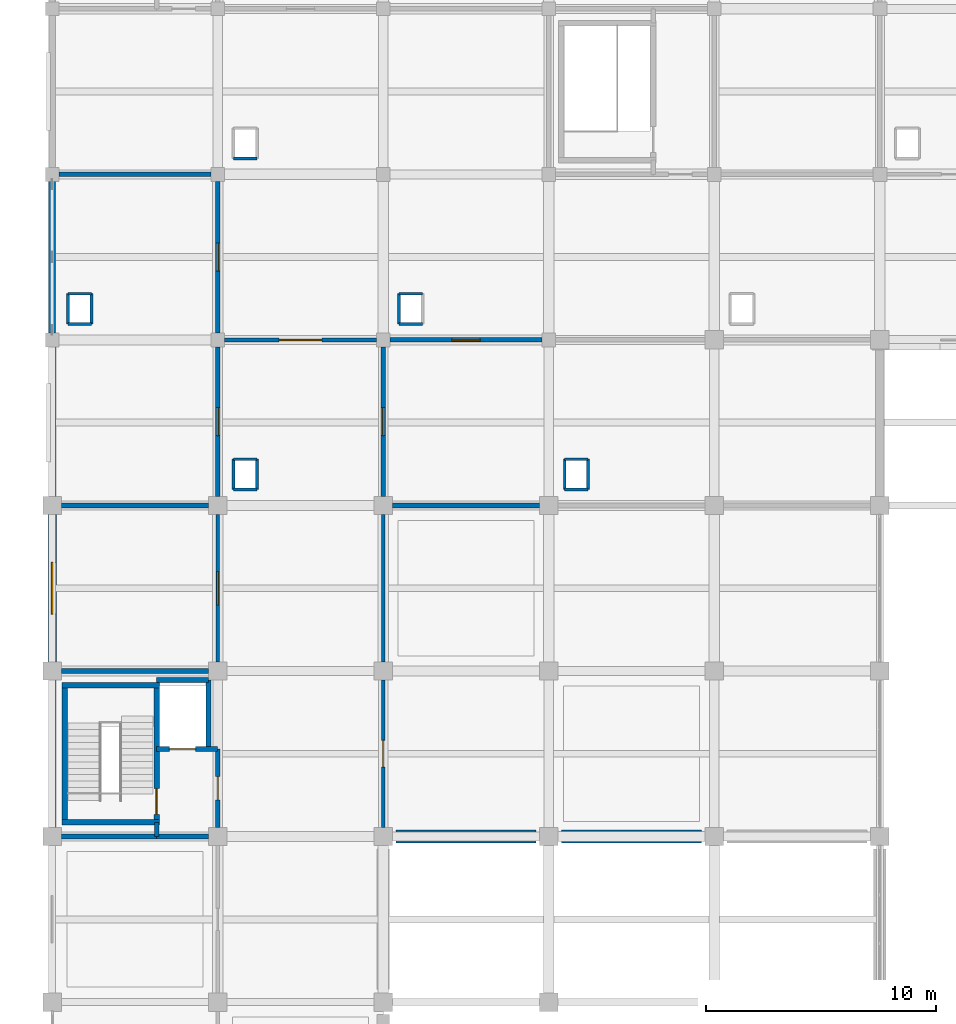
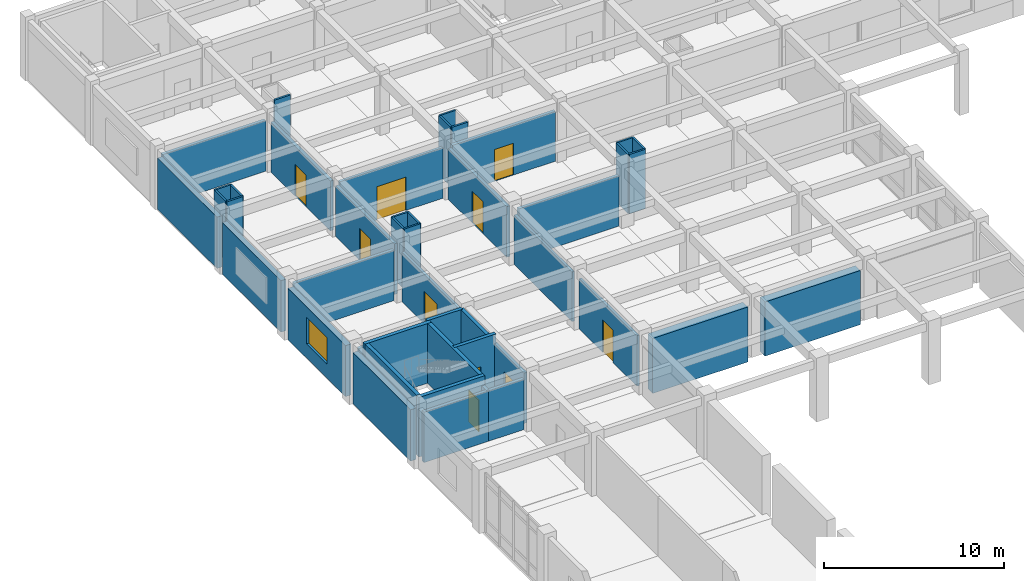
# One storey, part 54 of 70: 45 walls, 10 doors, 1 window, 11 openings.
"""IFC4 building model written with IfcOpenShell, lengths in metres."""

from ifc_helpers import new_model, si_unit, direction, frame, frame_2d, origin, place, context, subcontext, project, spatial, rectangle, extrude, material, layer, layer_set, type_object, element, fill, save


model = new_model("IFC4")

# Units and contexts
model_context = context("Model", 3, precision=1e-05, world=origin(), true_north=direction((0.0, 1.0)))
body_context = subcontext(model_context, "Body", "Model", "MODEL_VIEW")
ifc_project = project(units=[si_unit("LENGTHUNIT", "METRE"), si_unit("AREAUNIT", "SQUARE_METRE"), si_unit("VOLUMEUNIT", "CUBIC_METRE"), si_unit("PLANEANGLEUNIT", "RADIAN"), si_unit("MASSUNIT", "GRAM", prefix="KILO")], contexts=[model_context])

# Site, building, storey
site_placement = place(None, origin())
site = spatial("IfcSite", under=ifc_project, at=site_placement, CompositionType="ELEMENT")
building_placement = place(site_placement, origin())
building = spatial("IfcBuilding", under=site, at=building_placement, Name="Kavelor Marine Aquarium", CompositionType="ELEMENT")
storey_placement = place(building_placement, frame((0.0, 0.0, 9.179931640625)))
storey = spatial("IfcBuildingStorey", under=building, at=storey_placement, Name="L02", CompositionType="ELEMENT", Elevation=9.179931640625)

# Wall, opening, window
ifc_material_1 = material(Name="Concrete C45/55", Category="concrete")
ifc_layer_1 = layer(ifc_material_1, 0.360107421875)
ifc_layer_set_1 = layer_set([ifc_layer_1], Name="WL-EX1")
wall_type_1 = type_object("IfcWallType", Name="WL-EX1", PredefinedType="STANDARD", material=ifc_layer_set_1)
wall_1_placement = place(storey_placement, frame((3.199951171875, 75.195068359375, 0.0), z_axis=(0.0, 0.0, 1.0), x_axis=(0.0, 1.0, 0.0)))
wall_1 = element("IfcWall", 1, at=wall_1_placement, inside=storey, type_object=wall_type_1, Name="ew:y:L02:00_10", PredefinedType="STANDARD", context=body_context, shape_type="SweptSolid", body=[
    extrude(rectangle(XDim=6.409912109375, YDim=0.360107421875, at=frame_2d((3.205078125, 0.0))), origin(), (0.0, 0.0, 1.0), 3.4599609375),
])
opening_1_placement = place(wall_1_placement, frame((2.080078125, 0.0, 0.949951171875)))
opening_1 = element("IfcOpeningElement", 2, at=opening_1_placement, cuts=wall_1, Name="Opening W42", PredefinedType="OPENING", context=body_context, shape_type="SweptSolid", body=[
    extrude(rectangle(XDim=2.25, YDim=1.800048828125, at=frame_2d((1.125, 0.89990234375))), frame((0.0, 0.18994140625, 0.0), z_axis=(0.0, -1.0, 0.0), x_axis=(1.0, 0.0, 0.0)), (0.0, 0.0, 1.0), 0.380107),
])
ifc_material_2 = material(Name="Anodised Aluminium Frame with Low-E Double Glazing", Category="aluminium")
window_type = type_object("IfcWindowType", Name="WIN-W42", PartitioningType="DOUBLE_PANEL_VERTICAL", PredefinedType="WINDOW", material=ifc_material_2)
window_placement = place(opening_1_placement, origin())
window = element("IfcWindow", 3, at=window_placement, inside=storey, type_object=window_type, Name="win:y:L02:00_10", OverallHeight=1.800048828125, OverallWidth=2.25, PartitioningType="SINGLE_PANEL", PredefinedType="WINDOW", context=body_context, shape_type="SweptSolid", body=[
    extrude(rectangle(XDim=2.25, YDim=1.800048828125, at=frame_2d((1.125, 0.89990234375))), frame((0.0, 0.030029296875, 0.0), z_axis=(0.0, -1.0, 0.0), x_axis=(1.0, 0.0, 0.0)), (0.0, 0.0, 1.0), 0.06005859375),
])
fill(opening_1, window)

# Walls
ifc_material_3 = material(Name="Concrete C45/55", Category="concrete")
ifc_layer_2 = layer(ifc_material_3, 0.320068359375)
ifc_layer_set_2 = layer_set([ifc_layer_2], Name="WL-EX2")
wall_type_2 = type_object("IfcWallType", Name="WL-EX2", PredefinedType="STANDARD", material=ifc_layer_set_2)
wall_2_placement = place(storey_placement, frame((3.199951171875, 82.39501953125, 0.0), z_axis=(0.0, 0.0, 1.0), x_axis=(0.0, 1.0, 0.0)))
element("IfcWall", 4, at=wall_2_placement, inside=storey, type_object=wall_type_2, Name="ew:y:L02:00_11", PredefinedType="STANDARD", context=body_context, shape_type="SweptSolid", body=[
    extrude(rectangle(XDim=6.510009765625, YDim=0.320068359375, at=frame_2d((3.2548828125, 0.0))), origin(), (0.0, 0.0, 1.0), 3.47998046875),
])
ifc_material_4 = material(Name="Concrete C40/50", Category="concrete")
ifc_layer_3 = layer(ifc_material_4, 0.300048828125)
ifc_layer_set_3 = layer_set([ifc_layer_3], Name="WL-EX3")
wall_type_3 = type_object("IfcWallType", Name="WL-EX3", PredefinedType="STANDARD", material=ifc_layer_set_3)
wall_3_placement = place(storey_placement, frame((3.199951171875, 89.4951171875, 0.0), z_axis=(0.0, 0.0, 1.0), x_axis=(0.0, 1.0, 0.0)))
element("IfcWall", 5, at=wall_3_placement, inside=storey, type_object=wall_type_3, Name="ew:y:L02:00_12", PredefinedType="STANDARD", context=body_context, shape_type="SweptSolid", body=[
    extrude(rectangle(XDim=6.60986328125, YDim=0.300048828125, at=frame_2d((3.304931640625, 0.0))), origin(), (0.0, 0.0, 1.0), 3.47998046875),
])
ifc_material_5 = material(Name="Concrete C45/55", Category="concrete")
ifc_layer_4 = layer(ifc_material_5, 0.340087890625)
ifc_layer_set_4 = layer_set([ifc_layer_4], Name="WL-EX6")
wall_type_4 = type_object("IfcWallType", Name="WL-EX6", PredefinedType="STANDARD", material=ifc_layer_set_4)
wall_4_placement = place(storey_placement, frame((3.199951171875, 67.9951171875, 0.0), z_axis=(0.0, 0.0, 1.0), x_axis=(0.0, 1.0, 0.0)))
element("IfcWall", 6, at=wall_4_placement, inside=storey, type_object=wall_type_4, Name="ew:y:L02:00_09", PredefinedType="STANDARD", context=body_context, shape_type="SweptSolid", body=[
    extrude(rectangle(XDim=6.409912109375, YDim=0.340087890625, at=frame_2d((3.205078125, 0.0))), origin(), (0.0, 0.0, 1.0), 3.47998046875),
])
ifc_material_6 = material(Name="Concrete Blockwork Partition", Category="masonry")
ifc_layer_5 = layer(ifc_material_6, 0.199951171875)
ifc_layer_set_5 = layer_set([ifc_layer_5], Name="WL-PT1")
wall_type_5 = type_object("IfcWallType", Name="WL-PT1", PredefinedType="PARTITIONING", material=ifc_layer_set_5)
wall_5_placement = place(storey_placement, frame((7.739990234375, 67.60009765625, 0.0), z_axis=(0.0, 0.0, 1.0), x_axis=(0.0, 1.0, 0.0)))
element("IfcWall", 7, at=wall_5_placement, inside=storey, type_object=wall_type_5, Name="pt:st_close:s:C03:L02", PredefinedType="PARTITIONING", context=body_context, shape_type="SweptSolid", body=[
    extrude(rectangle(XDim=0.619873046875, YDim=0.199951171875, at=frame_2d((0.31005859375, 0.0))), origin(), (0.0, 0.0, 1.0), 3.41015625),
])

# Wall, opening, door
wall_6_placement = place(storey_placement, frame((10.39990234375, 68.0, 0.0), z_axis=(0.0, 0.0, 1.0), x_axis=(0.0, 1.0, 0.0)))
wall_6 = element("IfcWall", 8, at=wall_6_placement, inside=storey, type_object=wall_type_5, Name="pt:lob:C03:L02:e", PredefinedType="PARTITIONING", context=body_context, shape_type="SweptSolid", body=[
    extrude(rectangle(XDim=3.39990234375, YDim=0.199951171875, at=frame_2d((1.699951171875, 0.0))), origin(), (0.0, 0.0, 1.0), 3.41015625),
])
opening_2_placement = place(wall_6_placement, frame((1.18994140625, 0.0, 0.0)))
opening_2 = element("IfcOpeningElement", 9, at=opening_2_placement, cuts=wall_6, Name="Opening SD1", PredefinedType="OPENING", context=body_context, shape_type="SweptSolid", body=[
    extrude(rectangle(XDim=1.02001953125, YDim=2.14990234375, at=frame_2d((0.510009765625, 1.074951171875))), frame((0.0, 0.10986328125, 0.0), z_axis=(0.0, -1.0, 0.0), x_axis=(1.0, 0.0, 0.0)), (0.0, 0.0, 1.0), 0.219951),
])
ifc_material_7 = material(Name="Fire-Rated Corridor Compartment Door")
door_type_1 = type_object("IfcDoorType", Name="DR-SD1", OperationType="NOTDEFINED", PredefinedType="DOOR", material=ifc_material_7)
door_1_placement = place(opening_2_placement, origin())
door_1 = element("IfcDoor", 10, at=door_1_placement, inside=storey, type_object=door_type_1, Name="Core Lobby Fire Door C03-L02", OperationType="SINGLE_SWING_RIGHT", OverallHeight=2.14990234375, OverallWidth=1.02001953125, PredefinedType="DOOR", context=body_context, shape_type="SweptSolid", body=[
    extrude(rectangle(XDim=1.02001953125, YDim=2.14990234375, at=frame_2d((0.510009765625, 1.074951171875))), frame((0.0, 0.02490234375, 0.0), z_axis=(0.0, -1.0, 0.0), x_axis=(1.0, 0.0, 0.0)), (0.0, 0.0, 1.0), 0.050048828125),
])
fill(opening_2, door_1)

# Walls
wall_7_placement = place(storey_placement, frame((3.60009765625, 67.60009765625, 0.0), z_axis=(0.0, 0.0, 1.0), x_axis=(1.0, 0.0, 0.0)))
element("IfcWall", 11, at=wall_7_placement, inside=storey, type_object=wall_type_5, Name="pt:lob:C03:L02:s_st", PredefinedType="PARTITIONING", context=body_context, shape_type="SweptSolid", body=[
    extrude(rectangle(XDim=4.139892578125, YDim=0.199951171875, at=frame_2d((2.06982421875, 0.0))), origin(), (0.0, 0.0, 1.0), 3.41015625),
])
wall_8_placement = place(storey_placement, frame((7.739990234375, 67.60009765625, 0.0), z_axis=(0.0, 0.0, 1.0), x_axis=(1.0, 0.0, 0.0)))
element("IfcWall", 12, at=wall_8_placement, inside=storey, type_object=wall_type_5, Name="pt:lob:C03:L02:s", PredefinedType="PARTITIONING", context=body_context, shape_type="SweptSolid", body=[
    extrude(rectangle(XDim=2.260009765625, YDim=0.199951171875, at=frame_2d((1.1298828125, 0.0))), origin(), (0.0, 0.0, 1.0), 3.41015625),
])
wall_9_placement = place(storey_placement, frame((3.60009765625, 74.800048828125, 0.0), z_axis=(0.0, 0.0, 1.0), x_axis=(1.0, 0.0, 0.0)))
element("IfcWall", 13, at=wall_9_placement, inside=storey, type_object=wall_type_5, Name="pt:lob:C03:L02:n_full", PredefinedType="PARTITIONING", context=body_context, shape_type="SweptSolid", body=[
    extrude(rectangle(XDim=6.39990234375, YDim=0.199951171875, at=frame_2d((3.199951171875, 0.0))), origin(), (0.0, 0.0, 1.0), 3.360107421875),
])
wall_10_placement = place(storey_placement, frame((3.60009765625, 82.0, 0.0), z_axis=(0.0, 0.0, 1.0), x_axis=(1.0, 0.0, 0.0)))
element("IfcWall", 14, at=wall_10_placement, inside=storey, type_object=wall_type_5, Name="pt:x:L02:00_10", PredefinedType="PARTITIONING", context=body_context, shape_type="SweptSolid", body=[
    extrude(rectangle(XDim=6.39990234375, YDim=0.199951171875, at=frame_2d((3.199951171875, 0.0))), origin(), (0.0, 0.0, 1.0), 3.41015625),
])

# Wall, opening, door
wall_11_placement = place(storey_placement, frame((10.39990234375, 82.39990234375, 0.0), z_axis=(0.0, 0.0, 1.0), x_axis=(0.0, 1.0, 0.0)))
wall_11 = element("IfcWall", 15, at=wall_11_placement, inside=storey, type_object=wall_type_5, Name="pt:y:L02:00_11", PredefinedType="PARTITIONING", context=body_context, shape_type="SweptSolid", body=[
    extrude(rectangle(XDim=6.5, YDim=0.199951171875, at=frame_2d((3.25, 0.0))), origin(), (0.0, 0.0, 1.0), 3.43017578125),
])
opening_3_placement = place(wall_11_placement, frame((2.639892578125, 0.0, 0.0)))
opening_3 = element("IfcOpeningElement", 16, at=opening_3_placement, cuts=wall_11, Name="Opening D06", PredefinedType="OPENING", context=body_context, shape_type="SweptSolid", body=[
    extrude(rectangle(XDim=1.219970703125, YDim=2.159912109375, at=frame_2d((0.60986328125, 1.080078125))), frame((0.0, 0.10986328125, 0.0), z_axis=(0.0, -1.0, 0.0), x_axis=(1.0, 0.0, 0.0)), (0.0, 0.0, 1.0), 0.219951),
])
ifc_material_8 = material(Name="Biosecure Quarantine Plant Room Door")
door_type_2 = type_object("IfcDoorType", Name="DR-D06", OperationType="NOTDEFINED", PredefinedType="DOOR", material=ifc_material_8)
door_2_placement = place(opening_3_placement, origin())
door_2 = element("IfcDoor", 17, at=door_2_placement, inside=storey, type_object=door_type_2, Name="dr:rm:pt:y:L02:00_11:0", OperationType="SINGLE_SWING_RIGHT", OverallHeight=2.159912109375, OverallWidth=1.219970703125, PredefinedType="DOOR", context=body_context, shape_type="SweptSolid", body=[
    extrude(rectangle(XDim=1.219970703125, YDim=2.159912109375, at=frame_2d((0.60986328125, 1.080078125))), frame((0.0, 0.02490234375, 0.0), z_axis=(0.0, -1.0, 0.0), x_axis=(1.0, 0.0, 0.0)), (0.0, 0.0, 1.0), 0.050048828125),
])
fill(opening_3, door_2)

wall_12_placement = place(storey_placement, frame((10.39990234375, 89.5, 0.0), z_axis=(0.0, 0.0, 1.0), x_axis=(0.0, 1.0, 0.0)))
wall_12 = element("IfcWall", 18, at=wall_12_placement, inside=storey, type_object=wall_type_5, Name="pt:y:L02:00_12", PredefinedType="PARTITIONING", context=body_context, shape_type="SweptSolid", body=[
    extrude(rectangle(XDim=6.60009765625, YDim=0.199951171875, at=frame_2d((3.300048828125, 0.0))), origin(), (0.0, 0.0, 1.0), 3.380126953125),
])
opening_4_placement = place(wall_12_placement, frame((2.68994140625, 0.0, 0.0)))
opening_4 = element("IfcOpeningElement", 19, at=opening_4_placement, cuts=wall_12, Name="Opening D06", PredefinedType="OPENING", context=body_context, shape_type="SweptSolid", body=[
    extrude(rectangle(XDim=1.219970703125, YDim=2.159912109375, at=frame_2d((0.60986328125, 1.080078125))), frame((0.0, 0.10986328125, 0.0), z_axis=(0.0, -1.0, 0.0), x_axis=(1.0, 0.0, 0.0)), (0.0, 0.0, 1.0), 0.219951),
])
door_3_placement = place(opening_4_placement, origin())
door_3 = element("IfcDoor", 20, at=door_3_placement, inside=storey, type_object=door_type_2, Name="dr:rm:pt:y:L02:00_12:0", OperationType="SINGLE_SWING_LEFT", OverallHeight=2.159912109375, OverallWidth=1.219970703125, PredefinedType="DOOR", context=body_context, shape_type="SweptSolid", body=[
    extrude(rectangle(XDim=1.219970703125, YDim=2.159912109375, at=frame_2d((0.60986328125, 1.080078125))), frame((0.0, 0.02490234375, 0.0), z_axis=(0.0, -1.0, 0.0), x_axis=(1.0, 0.0, 0.0)), (0.0, 0.0, 1.0), 0.050048828125),
])
fill(opening_4, door_3)

# Wall
wall_13_placement = place(storey_placement, frame((3.5, 96.39990234375, 0.0), z_axis=(0.0, 0.0, 1.0), x_axis=(1.0, 0.0, 0.0)))
element("IfcWall", 21, at=wall_13_placement, inside=storey, type_object=wall_type_5, Name="pt:x:L02:00_12", PredefinedType="PARTITIONING", context=body_context, shape_type="SweptSolid", body=[
    extrude(rectangle(XDim=6.60009765625, YDim=0.199951171875, at=frame_2d((3.300048828125, 0.0))), origin(), (0.0, 0.0, 1.0), 3.43017578125),
])

# Wall, opening, door
wall_14_placement = place(storey_placement, frame((17.60009765625, 82.39990234375, 0.0), z_axis=(0.0, 0.0, 1.0), x_axis=(0.0, 1.0, 0.0)))
wall_14 = element("IfcWall", 22, at=wall_14_placement, inside=storey, type_object=wall_type_5, Name="pt:y:L02:01_11", PredefinedType="PARTITIONING", context=body_context, shape_type="SweptSolid", body=[
    extrude(rectangle(XDim=6.5, YDim=0.199951171875, at=frame_2d((3.25, 0.0))), origin(), (0.0, 0.0, 1.0), 3.43017578125),
])
opening_5_placement = place(wall_14_placement, frame((2.639892578125, 0.0, 0.0)))
opening_5 = element("IfcOpeningElement", 23, at=opening_5_placement, cuts=wall_14, Name="Opening D06", PredefinedType="OPENING", context=body_context, shape_type="SweptSolid", body=[
    extrude(rectangle(XDim=1.219970703125, YDim=2.159912109375, at=frame_2d((0.60986328125, 1.080078125))), frame((0.0, 0.10986328125, 0.0), z_axis=(0.0, -1.0, 0.0), x_axis=(1.0, 0.0, 0.0)), (0.0, 0.0, 1.0), 0.219951),
])
door_4_placement = place(opening_5_placement, origin())
door_4 = element("IfcDoor", 24, at=door_4_placement, inside=storey, type_object=door_type_2, Name="dr:rm:pt:y:L02:01_11:0", OperationType="SINGLE_SWING_RIGHT", OverallHeight=2.159912109375, OverallWidth=1.219970703125, PredefinedType="DOOR", context=body_context, shape_type="SweptSolid", body=[
    extrude(rectangle(XDim=1.219970703125, YDim=2.159912109375, at=frame_2d((0.60986328125, 1.080078125))), frame((0.0, 0.02490234375, 0.0), z_axis=(0.0, -1.0, 0.0), x_axis=(1.0, 0.0, 0.0)), (0.0, 0.0, 1.0), 0.050048828125),
])
fill(opening_5, door_4)

# Wall
wall_15_placement = place(storey_placement, frame((18.0, 82.0, 0.0), z_axis=(0.0, 0.0, 1.0), x_axis=(1.0, 0.0, 0.0)))
element("IfcWall", 25, at=wall_15_placement, inside=storey, type_object=wall_type_5, Name="pt:x:L02:02_10", PredefinedType="PARTITIONING", context=body_context, shape_type="SweptSolid", body=[
    extrude(rectangle(XDim=6.39990234375, YDim=0.199951171875, at=frame_2d((3.199951171875, 0.0))), origin(), (0.0, 0.0, 1.0), 3.41015625),
])

# Wall, opening, door
wall_16_placement = place(storey_placement, frame((17.89990234375, 89.199951171875, 0.0), z_axis=(0.0, 0.0, 1.0), x_axis=(1.0, 0.0, 0.0)))
wall_16 = element("IfcWall", 26, at=wall_16_placement, inside=storey, type_object=wall_type_5, Name="pt:x:L02:02_11", PredefinedType="PARTITIONING", context=body_context, shape_type="SweptSolid", body=[
    extrude(rectangle(XDim=6.60009765625, YDim=0.199951171875, at=frame_2d((3.300048828125, 0.0))), origin(), (0.0, 0.0, 1.0), 3.380126953125),
])
opening_6_placement = place(wall_16_placement, frame((2.68994140625, 0.0, 0.0)))
opening_6 = element("IfcOpeningElement", 27, at=opening_6_placement, cuts=wall_16, Name="Opening D06", PredefinedType="OPENING", context=body_context, shape_type="SweptSolid", body=[
    extrude(rectangle(XDim=1.219970703125, YDim=2.159912109375, at=frame_2d((0.60986328125, 1.080078125))), frame((0.0, 0.10986328125, 0.0), z_axis=(0.0, -1.0, 0.0), x_axis=(1.0, 0.0, 0.0)), (0.0, 0.0, 1.0), 0.219951),
])
door_5_placement = place(opening_6_placement, origin())
door_5 = element("IfcDoor", 28, at=door_5_placement, inside=storey, type_object=door_type_2, Name="dr:rm:pt:x:L02:02_11:0", OperationType="SINGLE_SWING_RIGHT", OverallHeight=2.159912109375, OverallWidth=1.219970703125, PredefinedType="DOOR", context=body_context, shape_type="SweptSolid", body=[
    extrude(rectangle(XDim=1.219970703125, YDim=2.159912109375, at=frame_2d((0.60986328125, 1.080078125))), frame((0.0, 0.02490234375, 0.0), z_axis=(0.0, -1.0, 0.0), x_axis=(1.0, 0.0, 0.0)), (0.0, 0.0, 1.0), 0.050048828125),
])
fill(opening_6, door_5)

ifc_material_9 = material(Name="Acoustic Gypsum Stud Partition")
ifc_layer_6 = layer(ifc_material_9, 0.159912109375)
ifc_layer_set_6 = layer_set([ifc_layer_6], Name="WL-PT2")
wall_type_6 = type_object("IfcWallType", Name="WL-PT2", PredefinedType="PARTITIONING", material=ifc_layer_set_6)
wall_17_placement = place(storey_placement, frame((10.39990234375, 75.199951171875, 0.0), z_axis=(0.0, 0.0, 1.0), x_axis=(0.0, 1.0, 0.0)))
wall_17 = element("IfcWall", 29, at=wall_17_placement, inside=storey, type_object=wall_type_6, Name="pt:y:L02:00_10", PredefinedType="PARTITIONING", context=body_context, shape_type="SweptSolid", body=[
    extrude(rectangle(XDim=6.400146484375, YDim=0.159912109375, at=frame_2d((3.2001953125, 0.0))), origin(), (0.0, 0.0, 1.0), 3.360107421875),
])
opening_7_placement = place(wall_17_placement, frame((2.47998046875, 0.0, 0.0)))
opening_7 = element("IfcOpeningElement", 30, at=opening_7_placement, cuts=wall_17, Name="Opening D11", PredefinedType="OPENING", context=body_context, shape_type="SweptSolid", body=[
    extrude(rectangle(XDim=1.43994140625, YDim=2.199951171875, at=frame_2d((0.719970703125, 1.10009765625))), frame((0.0, 0.08984375, 0.0), z_axis=(0.0, -1.0, 0.0), x_axis=(1.0, 0.0, 0.0)), (0.0, 0.0, 1.0), 0.179912),
])
ifc_material_10 = material(Name="Seminar Studio Double Door")
door_type_3 = type_object("IfcDoorType", Name="DR-D11", OperationType="NOTDEFINED", PredefinedType="DOOR", material=ifc_material_10)
door_6_placement = place(opening_7_placement, origin())
door_6 = element("IfcDoor", 31, at=door_6_placement, inside=storey, type_object=door_type_3, Name="dr:rm:pt:y:L02:00_10:0", OperationType="DOUBLE_DOOR_SINGLE_SWING", OverallHeight=2.199951171875, OverallWidth=1.43994140625, PredefinedType="DOOR", context=body_context, shape_type="SweptSolid", body=[
    extrude(rectangle(XDim=1.43994140625, YDim=2.199951171875, at=frame_2d((0.719970703125, 1.10009765625))), frame((0.0, 0.02490234375, 0.0), z_axis=(0.0, -1.0, 0.0), x_axis=(1.0, 0.0, 0.0)), (0.0, 0.0, 1.0), 0.050048828125),
])
fill(opening_7, door_6)

wall_18_placement = place(storey_placement, frame((17.60009765625, 68.0, 0.0), z_axis=(0.0, 0.0, 1.0), x_axis=(0.0, 1.0, 0.0)))
wall_18 = element("IfcWall", 32, at=wall_18_placement, inside=storey, type_object=wall_type_6, Name="pt:y:L02:01_09", PredefinedType="PARTITIONING", context=body_context, shape_type="SweptSolid", body=[
    extrude(rectangle(XDim=6.39990234375, YDim=0.159912109375, at=frame_2d((3.199951171875, 0.0))), origin(), (0.0, 0.0, 1.0), 3.41015625),
])
opening_8_placement = place(wall_18_placement, frame((2.6201171875, 0.0, 0.0)))
opening_8 = element("IfcOpeningElement", 33, at=opening_8_placement, cuts=wall_18, Name="Opening D09", PredefinedType="OPENING", context=body_context, shape_type="SweptSolid", body=[
    extrude(rectangle(XDim=1.159912109375, YDim=2.179931640625, at=frame_2d((0.580078125, 1.08984375))), frame((0.0, 0.08984375, 0.0), z_axis=(0.0, -1.0, 0.0), x_axis=(1.0, 0.0, 0.0)), (0.0, 0.0, 1.0), 0.179912),
])
ifc_material_11 = material(Name="Husbandry Prep Marine Door")
door_type_4 = type_object("IfcDoorType", Name="DR-D09", OperationType="NOTDEFINED", PredefinedType="DOOR", material=ifc_material_11)
door_7_placement = place(opening_8_placement, origin())
door_7 = element("IfcDoor", 34, at=door_7_placement, inside=storey, type_object=door_type_4, Name="dr:rm:pt:y:L02:01_09:0", OperationType="SINGLE_SWING_LEFT", OverallHeight=2.179931640625, OverallWidth=1.159912109375, PredefinedType="DOOR", context=body_context, shape_type="SweptSolid", body=[
    extrude(rectangle(XDim=1.159912109375, YDim=2.179931640625, at=frame_2d((0.580078125, 1.08984375))), frame((0.0, 0.02490234375, 0.0), z_axis=(0.0, -1.0, 0.0), x_axis=(1.0, 0.0, 0.0)), (0.0, 0.0, 1.0), 0.050048828125),
])
fill(opening_8, door_7)

# Wall
wall_19_placement = place(storey_placement, frame((17.60009765625, 75.199951171875, 0.0), z_axis=(0.0, 0.0, 1.0), x_axis=(0.0, 1.0, 0.0)))
element("IfcWall", 35, at=wall_19_placement, inside=storey, type_object=wall_type_6, Name="pt:y:L02:01_10", PredefinedType="PARTITIONING", context=body_context, shape_type="SweptSolid", body=[
    extrude(rectangle(XDim=6.400146484375, YDim=0.159912109375, at=frame_2d((3.2001953125, 0.0))), origin(), (0.0, 0.0, 1.0), 3.360107421875),
])

# Wall, opening, door
wall_20_placement = place(storey_placement, frame((10.699951171875, 89.199951171875, 0.0), z_axis=(0.0, 0.0, 1.0), x_axis=(1.0, 0.0, 0.0)))
wall_20 = element("IfcWall", 36, at=wall_20_placement, inside=storey, type_object=wall_type_6, Name="pt:x:L02:01_11", PredefinedType="PARTITIONING", context=body_context, shape_type="SweptSolid", body=[
    extrude(rectangle(XDim=6.60009765625, YDim=0.159912109375, at=frame_2d((3.300048828125, 0.0))), origin(), (0.0, 0.0, 1.0), 3.43017578125),
])
opening_9_placement = place(wall_20_placement, frame((2.3701171875, 0.0, 0.0)))
opening_9 = element("IfcOpeningElement", 37, at=opening_9_placement, cuts=wall_20, Name="Opening D13", PredefinedType="OPENING", context=body_context, shape_type="SweptSolid", body=[
    extrude(rectangle(XDim=1.860107421875, YDim=2.260009765625, at=frame_2d((0.93017578125, 1.1298828125))), frame((0.0, 0.08984375, 0.0), z_axis=(0.0, -1.0, 0.0), x_axis=(1.0, 0.0, 0.0)), (0.0, 0.0, 1.0), 0.179912),
])
ifc_material_12 = material(Name="Main Foyer Exhibition Double Door")
door_type_5 = type_object("IfcDoorType", Name="DR-D13", OperationType="NOTDEFINED", PredefinedType="DOOR", material=ifc_material_12)
door_8_placement = place(opening_9_placement, origin())
door_8 = element("IfcDoor", 38, at=door_8_placement, inside=storey, type_object=door_type_5, Name="dr:rm:pt:x:L02:01_11:0", OperationType="DOUBLE_DOOR_SINGLE_SWING", OverallHeight=2.260009765625, OverallWidth=1.860107421875, PredefinedType="DOOR", context=body_context, shape_type="SweptSolid", body=[
    extrude(rectangle(XDim=1.860107421875, YDim=2.260009765625, at=frame_2d((0.93017578125, 1.1298828125))), frame((0.0, 0.02490234375, 0.0), z_axis=(0.0, -1.0, 0.0), x_axis=(1.0, 0.0, 0.0)), (0.0, 0.0, 1.0), 0.050048828125),
])
fill(opening_9, door_8)

# Walls
ifc_material_13 = material(Name="Lightweight Drywall Partition")
ifc_layer_7 = layer(ifc_material_13, 0.1201171875)
ifc_layer_set_7 = layer_set([ifc_layer_7], Name="WL-PT4")
wall_type_7 = type_object("IfcWallType", Name="WL-PT4", PredefinedType="PARTITIONING", material=ifc_layer_set_7)
for number, where, z_axis, x_axis, name in (
    (39, (3.889892578125, 89.889892578125, 0.0), (0.0, 0.0, 1.0), (1.0, 0.0, 0.0), "riser:s:L02:00_12"),
    (40, (3.889892578125, 91.2099609375, 0.0), (0.0, 0.0, 1.0), (1.0, 0.0, 0.0), "riser:n:L02:00_12"),
):
    element("IfcWall", number, at=place(storey_placement, frame(where, z_axis=z_axis, x_axis=x_axis)), inside=storey, type_object=wall_type_7, Name=name, PredefinedType="PARTITIONING", context=body_context, shape_type="SweptSolid", body=[
        extrude(rectangle(XDim=1.02001953125, YDim=0.1201171875, at=frame_2d((0.510009765625, 0.0))), origin(), (0.0, 0.0, 1.0), 4.02001953125),
    ])
for number, where, z_axis, x_axis, name in (
    (41, (3.889892578125, 89.889892578125, 0.0), (0.0, 0.0, 1.0), (0.0, 1.0, 0.0), "riser:w:L02:00_12"),
    (42, (4.909912109375, 89.889892578125, 0.0), (0.0, 0.0, 1.0), (0.0, 1.0, 0.0), "riser:e:L02:00_12"),
):
    element("IfcWall", number, at=place(storey_placement, frame(where, z_axis=z_axis, x_axis=x_axis)), inside=storey, type_object=wall_type_7, Name=name, PredefinedType="PARTITIONING", context=body_context, shape_type="SweptSolid", body=[
        extrude(rectangle(XDim=1.320068359375, YDim=0.1201171875, at=frame_2d((0.66015625, 0.0))), origin(), (0.0, 0.0, 1.0), 4.02001953125),
    ])
for number, where, z_axis, x_axis, name in (
    (43, (11.090087890625, 82.68994140625, 0.0), (0.0, 0.0, 1.0), (1.0, 0.0, 0.0), "riser:s:L02:01_11"),
    (44, (11.090087890625, 84.010009765625, 0.0), (0.0, 0.0, 1.0), (1.0, 0.0, 0.0), "riser:n:L02:01_11"),
):
    element("IfcWall", number, at=place(storey_placement, frame(where, z_axis=z_axis, x_axis=x_axis)), inside=storey, type_object=wall_type_7, Name=name, PredefinedType="PARTITIONING", context=body_context, shape_type="SweptSolid", body=[
        extrude(rectangle(XDim=1.02001953125, YDim=0.1201171875, at=frame_2d((0.510009765625, 0.0))), origin(), (0.0, 0.0, 1.0), 4.02001953125),
    ])
for number, where, z_axis, x_axis, name in (
    (45, (11.090087890625, 82.68994140625, 0.0), (0.0, 0.0, 1.0), (0.0, 1.0, 0.0), "riser:w:L02:01_11"),
    (46, (12.110107421875, 82.68994140625, 0.0), (0.0, 0.0, 1.0), (0.0, 1.0, 0.0), "riser:e:L02:01_11"),
):
    element("IfcWall", number, at=place(storey_placement, frame(where, z_axis=z_axis, x_axis=x_axis)), inside=storey, type_object=wall_type_7, Name=name, PredefinedType="PARTITIONING", context=body_context, shape_type="SweptSolid", body=[
        extrude(rectangle(XDim=1.320068359375, YDim=0.1201171875, at=frame_2d((0.66015625, 0.0))), origin(), (0.0, 0.0, 1.0), 4.02001953125),
    ])
for number, where, z_axis, x_axis, name in (
    (47, (11.090087890625, 97.090087890625, 0.0), (0.0, 0.0, 1.0), (1.0, 0.0, 0.0), "riser:s:L02:01_13"),
    (48, (18.2900390625, 89.889892578125, 0.0), (0.0, 0.0, 1.0), (1.0, 0.0, 0.0), "riser:s:L02:02_12"),
    (49, (18.2900390625, 91.2099609375, 0.0), (0.0, 0.0, 1.0), (1.0, 0.0, 0.0), "riser:n:L02:02_12"),
):
    element("IfcWall", number, at=place(storey_placement, frame(where, z_axis=z_axis, x_axis=x_axis)), inside=storey, type_object=wall_type_7, Name=name, PredefinedType="PARTITIONING", context=body_context, shape_type="SweptSolid", body=[
        extrude(rectangle(XDim=1.02001953125, YDim=0.1201171875, at=frame_2d((0.510009765625, 0.0))), origin(), (0.0, 0.0, 1.0), 4.02001953125),
    ])
wall_21_placement = place(storey_placement, frame((18.2900390625, 89.889892578125, 0.0), z_axis=(0.0, 0.0, 1.0), x_axis=(0.0, 1.0, 0.0)))
element("IfcWall", 50, at=wall_21_placement, inside=storey, type_object=wall_type_7, Name="riser:w:L02:02_12", PredefinedType="PARTITIONING", context=body_context, shape_type="SweptSolid", body=[
    extrude(rectangle(XDim=1.320068359375, YDim=0.1201171875, at=frame_2d((0.66015625, 0.0))), origin(), (0.0, 0.0, 1.0), 4.02001953125),
])
for number, where, z_axis, x_axis, name in (
    (51, (25.489990234375, 82.68994140625, 0.0), (0.0, 0.0, 1.0), (1.0, 0.0, 0.0), "riser:s:L02:03_11"),
    (52, (25.489990234375, 84.010009765625, 0.0), (0.0, 0.0, 1.0), (1.0, 0.0, 0.0), "riser:n:L02:03_11"),
):
    element("IfcWall", number, at=place(storey_placement, frame(where, z_axis=z_axis, x_axis=x_axis)), inside=storey, type_object=wall_type_7, Name=name, PredefinedType="PARTITIONING", context=body_context, shape_type="SweptSolid", body=[
        extrude(rectangle(XDim=1.02001953125, YDim=0.1201171875, at=frame_2d((0.510009765625, 0.0))), origin(), (0.0, 0.0, 1.0), 4.02001953125),
    ])
for number, where, z_axis, x_axis, name in (
    (53, (25.489990234375, 82.68994140625, 0.0), (0.0, 0.0, 1.0), (0.0, 1.0, 0.0), "riser:w:L02:03_11"),
    (54, (26.510009765625, 82.68994140625, 0.0), (0.0, 0.0, 1.0), (0.0, 1.0, 0.0), "riser:e:L02:03_11"),
):
    element("IfcWall", number, at=place(storey_placement, frame(where, z_axis=z_axis, x_axis=x_axis)), inside=storey, type_object=wall_type_7, Name=name, PredefinedType="PARTITIONING", context=body_context, shape_type="SweptSolid", body=[
        extrude(rectangle(XDim=1.320068359375, YDim=0.1201171875, at=frame_2d((0.66015625, 0.0))), origin(), (0.0, 0.0, 1.0), 4.02001953125),
    ])
ifc_material_14 = material(Name="Concrete C40/50", Category="concrete")
ifc_layer_8 = layer(ifc_material_14, 0.35009765625)
ifc_layer_set_8 = layer_set([ifc_layer_8], Name="WL-SW2")
wall_type_8 = type_object("IfcWallType", Name="WL-SW2", PredefinedType="SHEAR", material=ifc_layer_set_8)
for number, where, z_axis, x_axis, name in (
    (55, (3.6201171875, 68.219970703125, 0.0), (0.0, 0.0, 1.0), (1.0, 0.0, 0.0), "cw_st:s:C03:L02"),
    (56, (3.6201171875, 74.179931640625, 0.0), (0.0, 0.0, 1.0), (1.0, 0.0, 0.0), "cw_st:n:C03:L02"),
):
    element("IfcWall", number, at=place(storey_placement, frame(where, z_axis=z_axis, x_axis=x_axis)), inside=storey, type_object=wall_type_8, Name=name, PredefinedType="SHEAR", context=body_context, shape_type="SweptSolid", body=[
        extrude(rectangle(XDim=4.239990234375, YDim=0.239990234375, at=frame_2d((2.1201171875, 0.0))), origin(), (0.0, 0.0, 1.0), 4.0400390625),
    ])
wall_22_placement = place(storey_placement, frame((3.739990234375, 68.340087890625, 0.0), z_axis=(0.0, 0.0, 1.0), x_axis=(0.0, 1.0, 0.0)))
element("IfcWall", 57, at=wall_22_placement, inside=storey, type_object=wall_type_8, Name="cw_st:w:C03:L02", PredefinedType="SHEAR", context=body_context, shape_type="SweptSolid", body=[
    extrude(rectangle(XDim=5.719970703125, YDim=0.239990234375, at=frame_2d((2.85986328125, 0.0))), origin(), (0.0, 0.0, 1.0), 4.0400390625),
])

# Wall, opening, door
wall_23_placement = place(storey_placement, frame((7.739990234375, 68.340087890625, 0.0), z_axis=(0.0, 0.0, 1.0), x_axis=(0.0, 1.0, 0.0)))
wall_23 = element("IfcWall", 58, at=wall_23_placement, inside=storey, type_object=wall_type_8, Name="cw_st:e:C03:L02", PredefinedType="SHEAR", context=body_context, shape_type="SweptSolid", body=[
    extrude(rectangle(XDim=5.719970703125, YDim=0.239990234375, at=frame_2d((2.85986328125, 0.0))), origin(), (0.0, 0.0, 1.0), 4.0400390625),
])
opening_10_placement = place(wall_23_placement, frame((0.219970703125, 0.0, 0.0)))
opening_10 = element("IfcOpeningElement", 59, at=opening_10_placement, cuts=wall_23, Name="Opening FD1", PredefinedType="OPENING", context=body_context, shape_type="SweptSolid", body=[
    extrude(rectangle(XDim=1.1201171875, YDim=2.14990234375, at=frame_2d((0.56005859375, 1.074951171875))), frame((0.0, 0.1298828125, 0.0), z_axis=(0.0, -1.0, 0.0), x_axis=(1.0, 0.0, 0.0)), (0.0, 0.0, 1.0), 0.25999),
])
ifc_material_15 = material(Name="Fire-Rated Steel Stair and Core Door", Category="steel")
door_type_6 = type_object("IfcDoorType", Name="DR-FD1", OperationType="NOTDEFINED", PredefinedType="DOOR", material=ifc_material_15)
door_9_placement = place(opening_10_placement, origin())
door_9 = element("IfcDoor", 60, at=door_9_placement, inside=storey, type_object=door_type_6, Name="Stair Fire Door ST03-L02", OperationType="SINGLE_SWING_LEFT", OverallHeight=2.14990234375, OverallWidth=1.1201171875, PredefinedType="DOOR", context=body_context, shape_type="SweptSolid", body=[
    extrude(rectangle(XDim=1.1201171875, YDim=2.14990234375, at=frame_2d((0.56005859375, 1.074951171875))), frame((0.0, 0.02490234375, 0.0), z_axis=(0.0, -1.0, 0.0), x_axis=(1.0, 0.0, 0.0)), (0.0, 0.0, 1.0), 0.050048828125),
])
fill(opening_10, door_9)

wall_24_placement = place(storey_placement, frame((7.739990234375, 71.39990234375, 0.0), z_axis=(0.0, 0.0, 1.0), x_axis=(1.0, 0.0, 0.0)))
wall_24 = element("IfcWall", 61, at=wall_24_placement, inside=storey, type_object=wall_type_8, Name="cw_lf:s:C03:L02", PredefinedType="SHEAR", context=body_context, shape_type="SweptSolid", body=[
    extrude(rectangle(XDim=2.659912109375, YDim=0.219970703125, at=frame_2d((1.330078125, 0.0))), origin(), (0.0, 0.0, 1.0), 4.0400390625),
])
opening_11_placement = place(wall_24_placement, frame((0.56005859375, 0.0, 0.0)))
opening_11 = element("IfcOpeningElement", 62, at=opening_11_placement, cuts=wall_24, Name="Opening LD1", PredefinedType="OPENING", context=body_context, shape_type="SweptSolid", body=[
    extrude(rectangle(XDim=1.139892578125, YDim=2.14990234375, at=frame_2d((0.56982421875, 1.074951171875))), frame((0.0, 0.119873046875, 0.0), z_axis=(0.0, -1.0, 0.0), x_axis=(1.0, 0.0, 0.0)), (0.0, 0.0, 1.0), 0.239971),
])
ifc_material_16 = material(Name="Stainless Steel Lift Landing Sliding Door", Category="steel")
door_type_7 = type_object("IfcDoorType", Name="DR-LD1", OperationType="NOTDEFINED", PredefinedType="DOOR", material=ifc_material_16)
door_10_placement = place(opening_11_placement, origin())
door_10 = element("IfcDoor", 63, at=door_10_placement, inside=storey, type_object=door_type_7, Name="Lift Landing Sliding Door EL1-L02", OperationType="SLIDING_TO_LEFT", OverallHeight=2.14990234375, OverallWidth=1.139892578125, PredefinedType="DOOR", context=body_context, shape_type="SweptSolid", body=[
    extrude(rectangle(XDim=1.139892578125, YDim=2.14990234375, at=frame_2d((0.56982421875, 1.074951171875))), frame((0.0, 0.02490234375, 0.0), z_axis=(0.0, -1.0, 0.0), x_axis=(1.0, 0.0, 0.0)), (0.0, 0.0, 1.0), 0.050048828125),
])
fill(opening_11, door_10)

# Walls
wall_25_placement = place(storey_placement, frame((7.739990234375, 74.39990234375, 0.0), z_axis=(0.0, 0.0, 1.0), x_axis=(1.0, 0.0, 0.0)))
element("IfcWall", 64, at=wall_25_placement, inside=storey, type_object=wall_type_8, Name="cw_lf:n:C03:L02", PredefinedType="SHEAR", context=body_context, shape_type="SweptSolid", body=[
    extrude(rectangle(XDim=2.260009765625, YDim=0.219970703125, at=frame_2d((1.1298828125, 0.0))), origin(), (0.0, 0.0, 1.0), 4.0400390625),
])
wall_26_placement = place(storey_placement, frame((10.0, 71.39990234375, 0.0), z_axis=(0.0, 0.0, 1.0), x_axis=(0.0, 1.0, 0.0)))
element("IfcWall", 65, at=wall_26_placement, inside=storey, type_object=wall_type_8, Name="cw_lf:e:C03:L02", PredefinedType="SHEAR", context=body_context, shape_type="SweptSolid", body=[
    extrude(rectangle(XDim=3.0, YDim=0.219970703125, at=frame_2d((1.5, 0.0))), origin(), (0.0, 0.0, 1.0), 4.0400390625),
])
ifc_material_17 = material(Name="Concrete C45/55", Category="concrete")
ifc_layer_9 = layer(ifc_material_17, 0.550048828125)
ifc_layer_set_9 = layer_set([ifc_layer_9], Name="WL-TK2")
wall_type_9 = type_object("IfcWallType", Name="WL-TK2", PredefinedType="SHEAR", material=ifc_layer_set_9)
wall_27_placement = place(storey_placement, frame((18.14990234375, 67.60009765625, -0.300048828125), z_axis=(0.0, 0.0, 1.0), x_axis=(1.0, 0.0, 0.0)))
element("IfcWall", 66, at=wall_27_placement, inside=storey, type_object=wall_type_9, Name="tkw:x:L02:02_09", PredefinedType="SHEAR", context=body_context, shape_type="SweptSolid", body=[
    extrude(rectangle(XDim=6.10009765625, YDim=0.550048828125, at=frame_2d((3.050048828125, 0.0))), origin(), (0.0, 0.0, 1.0), 3.72021484375),
])
wall_28_placement = place(storey_placement, frame((25.35009765625, 67.60009765625, -0.300048828125), z_axis=(0.0, 0.0, 1.0), x_axis=(1.0, 0.0, 0.0)))
element("IfcWall", 67, at=wall_28_placement, inside=storey, type_object=wall_type_9, Name="tkw:x:L02:03_09", PredefinedType="SHEAR", context=body_context, shape_type="SweptSolid", body=[
    extrude(rectangle(XDim=6.099853515625, YDim=0.550048828125, at=frame_2d((3.0498046875, 0.0))), origin(), (0.0, 0.0, 1.0), 3.670166015625),
])

save(model, "model.ifc")
